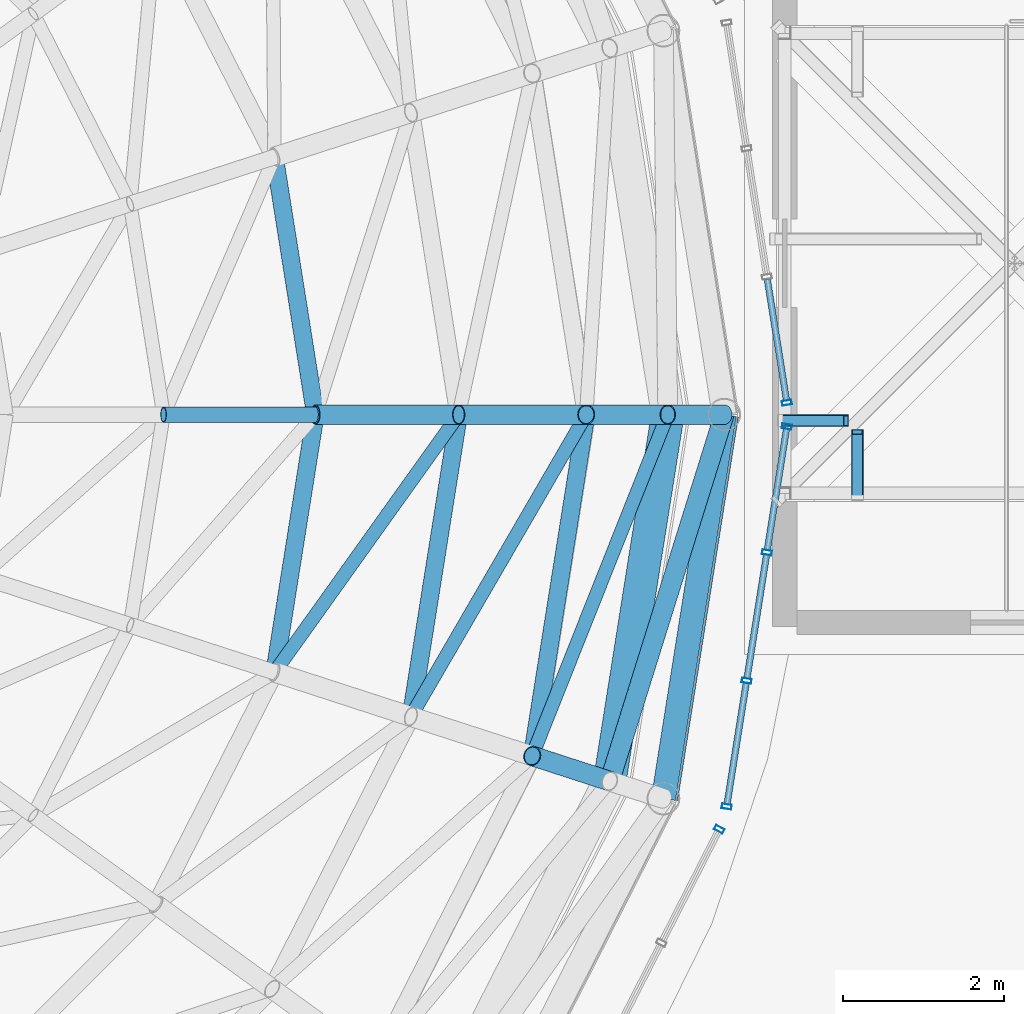
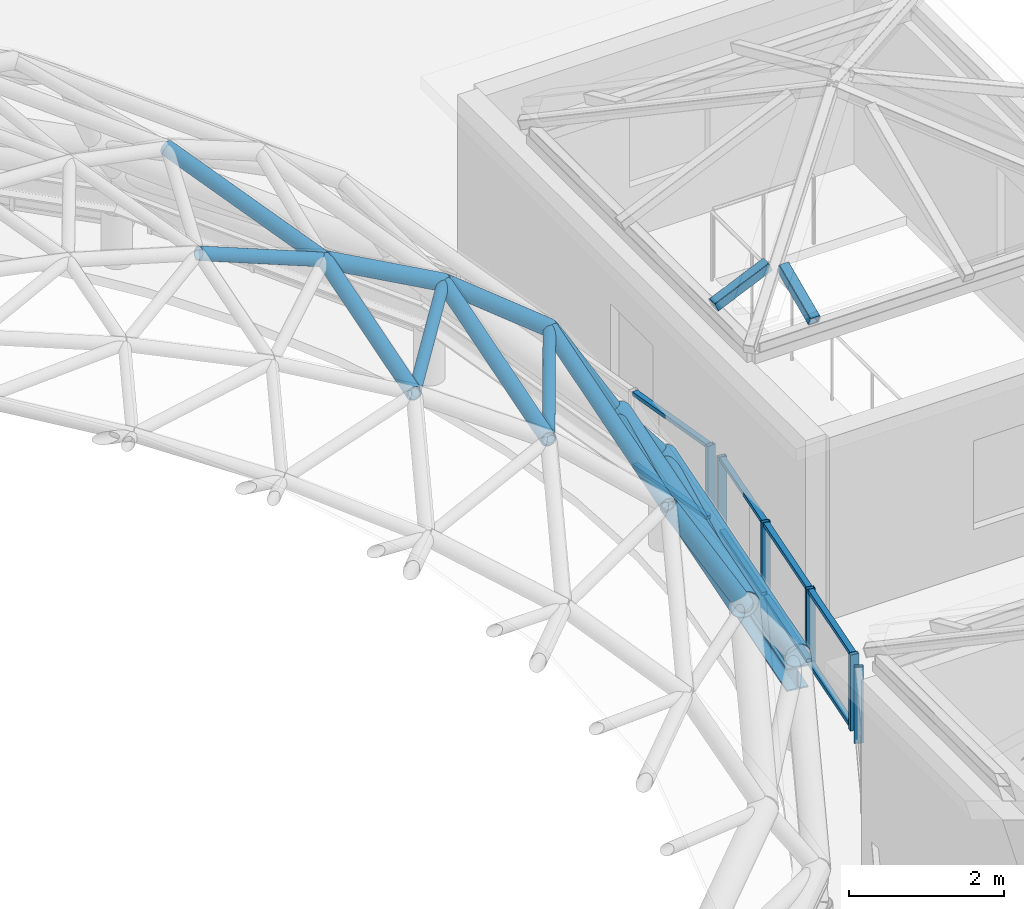
# One storey, part 31 of 69: 32 members, 1 beam, 3 elements without a shape of their own.
"""IFC4 building model written with IfcOpenShell, lengths in metres."""

from ifc_helpers import new_model, si_unit, direction, frame, origin, origin_2d, place, context, subcontext, project, spatial, hollow_rectangle, hollow_circle, i_section, extrude, material, layer, layer_set, material_profile, profile_set, type_object, element, aggregate, save


model = new_model("IFC4")

# Units and contexts
model_context = context("Model", 3, precision=1e-05, world=origin(), true_north=direction((0.0, 1.0)))
body_context = subcontext(model_context, "Body", "Model", "MODEL_VIEW")
ifc_project = project(units=[si_unit("LENGTHUNIT", "METRE"), si_unit("AREAUNIT", "SQUARE_METRE"), si_unit("VOLUMEUNIT", "CUBIC_METRE"), si_unit("PLANEANGLEUNIT", "RADIAN"), si_unit("MASSUNIT", "GRAM", prefix="KILO")], contexts=[model_context])

# Site, building, storey
site_placement = place(None, origin())
site = spatial("IfcSite", under=ifc_project, at=site_placement, CompositionType="ELEMENT")
building_placement = place(site_placement, origin())
building = spatial("IfcBuilding", under=site, at=building_placement, Name="Kallimachos Central Library", CompositionType="ELEMENT")
storey_placement = place(building_placement, frame((0.0, 0.0, 23.39990234375)))
storey = spatial("IfcBuildingStorey", under=building, at=storey_placement, Name="L05", CompositionType="ELEMENT", Elevation=23.39990234375)

# Members
ifc_material_1 = material(Name="Steel S355J2H", Category="steel")
ifc_material_profile_1 = material_profile(ifc_material_1, hollow_circle(Radius=0.084228515625, WallThickness=0.008056640625, at=origin_2d()), Name="CHS 168.3x8")
ifc_profile_set_1 = profile_set([ifc_material_profile_1], Name="Steel S355J2H")
member_type_1 = type_object("IfcMemberType", Name="CHS 168.3x8 dome diagonal", PredefinedType="BRACE", material=ifc_profile_set_1)
member_1_placement = place(storey_placement, frame((97.826904296875, 101.20703125, 6.24853515625), z_axis=(0.564178268135, 0.78929432934, -0.24231661816), x_axis=(-0.813540080834, 0.581508845055, 0.0)))
element("IfcMember", 1, at=member_1_placement, inside=storey, type_object=member_type_1, Name="Dome diagonal DD-4-19", PredefinedType="BRACE", context=body_context, shape_type="SweptSolid", body=[
    extrude(hollow_circle(Radius=0.084228515625, WallThickness=0.008056640625, at=origin_2d()), origin(), (0.0, 0.0, 1.0), 4.045166015625),
])
member_2_placement = place(storey_placement, frame((99.5166015625, 100.657958984375, 5.268310546875), z_axis=(0.481802526154, 0.82982215062, -0.281534232611), x_axis=(-0.864802382549, 0.502112377001, 0.0)))
element("IfcMember", 2, at=member_2_placement, inside=storey, type_object=member_type_1, Name="Dome diagonal DD-5-19", PredefinedType="BRACE", context=body_context, shape_type="SweptSolid", body=[
    extrude(hollow_circle(Radius=0.084228515625, WallThickness=0.008056640625, at=origin_2d()), origin(), (0.0, 0.0, 1.0), 4.50927734375),
])
member_3_placement = place(storey_placement, frame((101.019287109375, 100.169677734375, 3.998779296875), z_axis=(0.345366378347, 0.869285769555, -0.35364433483), x_axis=(-0.929339732878, 0.369225758708, 0.0)))
element("IfcMember", 3, at=member_3_placement, inside=storey, type_object=member_type_1, Name="Dome diagonal DD-6-19", PredefinedType="BRACE", context=body_context, shape_type="SweptSolid", body=[
    extrude(hollow_circle(Radius=0.084228515625, WallThickness=0.008056640625, at=origin_2d()), origin(), (0.0, 0.0, 1.0), 4.8662109375),
])
ifc_material_2 = material(Name="Steel S355J2H", Category="steel")
ifc_material_profile_2 = material_profile(ifc_material_2, hollow_circle(Radius=0.096923828125, WallThickness=0.010009765625, at=origin_2d()), Name="CHS 193.7x10")
ifc_profile_set_2 = profile_set([ifc_material_profile_2], Name="Steel S355J2H")
member_type_2 = type_object("IfcMemberType", Name="CHS 193.7x10 dome rib", PredefinedType="RAFTER", material=ifc_profile_set_2)
member_4_placement = place(storey_placement, frame((96.4501953125, 104.39990234375, 7.008544921875), z_axis=(0.927269138814, 0.0, -0.374395438278), x_axis=(0.0, 1.0, 0.0)))
element("IfcMember", 4, at=member_4_placement, inside=storey, type_object=member_type_2, Name="Dome rib DR-3-00", PredefinedType="RAFTER", context=body_context, shape_type="SweptSolid", body=[
    extrude(hollow_circle(Radius=0.096923828125, WallThickness=0.010009765625, at=origin_2d()), origin(), (0.0, 0.0, 1.0), 2.030029296875),
])
ifc_material_3 = material(Name="Steel S355J2H", Category="steel")
ifc_material_profile_3 = material_profile(ifc_material_3, hollow_circle(Radius=0.109619140625, WallThickness=0.012451171875, at=origin_2d()), Name="CHS 219.1x12.5")
ifc_profile_set_3 = profile_set([ifc_material_profile_3], Name="Steel S355J2H")
member_type_3 = type_object("IfcMemberType", Name="CHS 219.1x12.5 dome ring", PredefinedType="PURLIN", material=ifc_profile_set_3)
member_5_placement = place(storey_placement, frame((98.33251953125, 104.39990234375, 6.24853515625), z_axis=(-0.156396886471, 0.987694291723, 0.0), x_axis=(-0.987694291723, -0.156396886471, 0.0)))
element("IfcMember", 5, at=member_5_placement, inside=storey, type_object=member_type_3, Name="Dome ring DN-4-00", PredefinedType="PURLIN", context=body_context, shape_type="SweptSolid", body=[
    extrude(hollow_circle(Radius=0.109619140625, WallThickness=0.012451171875, at=origin_2d()), origin(), (0.0, 0.0, 1.0), 3.23291015625),
])
member_6_placement = place(storey_placement, frame((97.826904296875, 101.20703125, 6.24853515625), z_axis=(0.156408552704, 0.987692444358, 0.0), x_axis=(-0.987692444358, 0.156408552704, 0.0)))
element("IfcMember", 6, at=member_6_placement, inside=storey, type_object=member_type_3, Name="Dome ring DN-4-19", PredefinedType="PURLIN", context=body_context, shape_type="SweptSolid", body=[
    extrude(hollow_circle(Radius=0.109619140625, WallThickness=0.012451171875, at=origin_2d()), origin(), (0.0, 0.0, 1.0), 3.232666015625),
])
member_7_placement = place(storey_placement, frame((99.5166015625, 100.657958984375, 5.268310546875), z_axis=(0.156399366664, 0.987693898993, 0.0), x_axis=(-0.987693898993, 0.156399366664, 0.0)))
element("IfcMember", 7, at=member_7_placement, inside=storey, type_object=member_type_3, Name="Dome ring DN-5-19", PredefinedType="PURLIN", context=body_context, shape_type="SweptSolid", body=[
    extrude(hollow_circle(Radius=0.109619140625, WallThickness=0.012451171875, at=origin_2d()), origin(), (0.0, 0.0, 1.0), 3.78857421875),
])
member_8_placement = place(storey_placement, frame((101.019287109375, 100.169677734375, 3.998779296875), z_axis=(0.156416270198, 0.987691222203, 0.0), x_axis=(-0.987691222203, 0.156416270198, 0.0)))
element("IfcMember", 8, at=member_8_placement, inside=storey, type_object=member_type_3, Name="Dome ring DN-6-19", PredefinedType="PURLIN", context=body_context, shape_type="SweptSolid", body=[
    extrude(hollow_circle(Radius=0.109619140625, WallThickness=0.012451171875, at=origin_2d()), origin(), (0.0, 0.0, 1.0), 4.282958984375),
])
ifc_material_4 = material(Name="Steel S355J2H", Category="steel")
ifc_material_profile_4 = material_profile(ifc_material_4, hollow_circle(Radius=0.122314453125, WallThickness=0.012451171875, at=origin_2d()), Name="CHS 244.5x12.5")
ifc_profile_set_4 = profile_set([ifc_material_profile_4], Name="Steel S355J2H")
member_type_4 = type_object("IfcMemberType", Name="CHS 244.5x12.5 dome diagonal", PredefinedType="BRACE", material=ifc_profile_set_4)
member_9_placement = place(storey_placement, frame((101.98046875, 99.857421875, 2.27783203125), z_axis=(0.293064149452, 0.937865766204, -0.185798839849), x_axis=(-0.954485454729, 0.29825746715, 0.0)))
element("IfcMember", 9, at=member_9_placement, inside=storey, type_object=member_type_4, Name="Dome diagonal DD-7-19", PredefinedType="BRACE", context=body_context, shape_type="SweptSolid", body=[
    extrude(hollow_circle(Radius=0.122314453125, WallThickness=0.012451171875, at=origin_2d()), origin(), (0.0, 0.0, 1.0), 4.843505859375),
])
ifc_material_5 = material(Name="Steel S355J2H", Category="steel")
ifc_material_profile_5 = material_profile(ifc_material_5, hollow_circle(Radius=0.122314453125, WallThickness=0.012451171875, at=origin_2d()), Name="CHS 244.5x12.5")
ifc_profile_set_5 = profile_set([ifc_material_profile_5], Name="Steel S355J2H")
member_type_5 = type_object("IfcMemberType", Name="CHS 244.5x12.5 dome rib", PredefinedType="RAFTER", material=ifc_profile_set_5)
member_10_placement = place(storey_placement, frame((98.33251953125, 104.39990234375, 6.24853515625), z_axis=(0.875572419267, 0.0, -0.483086885166), x_axis=(0.0, 1.0, 0.0)))
element("IfcMember", 10, at=member_10_placement, inside=storey, type_object=member_type_5, Name="Dome rib DR-4-00", PredefinedType="RAFTER", context=body_context, shape_type="SweptSolid", body=[
    extrude(hollow_circle(Radius=0.122314453125, WallThickness=0.012451171875, at=origin_2d()), origin(), (0.0, 0.0, 1.0), 2.029052734375),
])
member_11_placement = place(storey_placement, frame((100.109130859375, 104.39990234375, 5.268310546875), z_axis=(0.779550942262, 0.0, -0.626338828764), x_axis=(0.0, 1.0, 0.0)))
element("IfcMember", 11, at=member_11_placement, inside=storey, type_object=member_type_5, Name="Dome rib DR-5-00", PredefinedType="RAFTER", context=body_context, shape_type="SweptSolid", body=[
    extrude(hollow_circle(Radius=0.122314453125, WallThickness=0.012451171875, at=origin_2d()), origin(), (0.0, 0.0, 1.0), 2.02685546875),
])
for number, where, z_axis, x_axis, name in (
    (12, (101.689208984375, 104.39990234375, 3.998779296875), (0.506431960576, 0.0, -0.862279925145), (0.0, 1.0, 0.0), "Dome rib DR-6-00"),
    (13, (101.019287109375, 100.169677734375, 3.998779296875), (0.481613325792, -0.156460107617, -0.862304377319), (0.308971360656, 0.951071342379, 0.0), "Dome rib DR-6-19"),
):
    element("IfcMember", number, at=place(storey_placement, frame(where, z_axis=z_axis, x_axis=x_axis)), inside=storey, type_object=member_type_5, Name=name, PredefinedType="RAFTER", context=body_context, shape_type="SweptSolid", body=[
        extrude(hollow_circle(Radius=0.122314453125, WallThickness=0.012451171875, at=origin_2d()), origin(), (0.0, 0.0, 1.0), 1.995849609375),
    ])
member_12_placement = place(storey_placement, frame((102.699951171875, 104.39990234375, 2.27783203125), z_axis=(0.613955438871, 0.0, -0.78934068632), x_axis=(0.0, 1.0, 0.0)))
element("IfcMember", 14, at=member_12_placement, inside=storey, type_object=member_type_5, Name="Dome rib DR-7-00", PredefinedType="RAFTER", context=body_context, shape_type="SweptSolid", body=[
    extrude(hollow_circle(Radius=0.122314453125, WallThickness=0.012451171875, at=origin_2d()), origin(), (0.0, 0.0, 1.0), 1.14013671875),
])
ifc_material_6 = material(Name="Steel S355J2H", Category="steel")
ifc_material_profile_6 = material_profile(ifc_material_6, hollow_circle(Radius=0.177734375, WallThickness=0.008056640625, at=origin_2d()), Name="CHS 355.6x8")
ifc_profile_set_6 = profile_set([ifc_material_profile_6], Name="Steel S355J2H")
member_type_6 = type_object("IfcMemberType", Name="CHS 355.6x8 dome ring", PredefinedType="PURLIN", material=ifc_profile_set_6)
member_13_placement = place(storey_placement, frame((102.646240234375, 99.64111328125, 1.3779296875), z_axis=(0.156423119957, 0.987690137413, 0.0), x_axis=(-0.987690137413, 0.156423119957, 0.0)))
element("IfcMember", 15, at=member_13_placement, inside=storey, type_object=member_type_6, Name="Dome ring DN-8-19", PredefinedType="PURLIN", context=body_context, shape_type="SweptSolid", body=[
    extrude(hollow_circle(Radius=0.177734375, WallThickness=0.008056640625, at=origin_2d()), origin(), (0.0, 0.0, 1.0), 4.818115234375),
])
ifc_material_7 = material(Name="Steel S355J2H", Category="steel")
ifc_material_profile_7 = material_profile(ifc_material_7, hollow_circle(Radius=0.203125, WallThickness=0.012451171875, at=origin_2d()), Name="CHS 406.4x12.5")
ifc_profile_set_7 = profile_set([ifc_material_profile_7], Name="Steel S355J2H")
member_type_7 = type_object("IfcMemberType", Name="CHS 406.4x12.5 dome ring", PredefinedType="PURLIN", material=ifc_profile_set_7)
member_14_placement = place(storey_placement, frame((101.98046875, 99.857421875, 2.27783203125), z_axis=(0.156439597132, 0.987687527738, 0.0), x_axis=(-0.987687527738, 0.156439597132, 0.0)))
element("IfcMember", 16, at=member_14_placement, inside=storey, type_object=member_type_7, Name="Dome ring DN-7-19", PredefinedType="PURLIN", context=body_context, shape_type="SweptSolid", body=[
    extrude(hollow_circle(Radius=0.203125, WallThickness=0.012451171875, at=origin_2d()), origin(), (0.0, 0.0, 1.0), 4.59912109375),
])

# Curtain wall, member
ifc_material_8 = material(Name="Anodised aluminium and laminated glass", Category="aluminium")
ifc_layer = layer(ifc_material_8, 0.159912109375)
ifc_layer_set = layer_set([ifc_layer], Name="Glass box curtain wall")
curtain_wall_type = type_object("IfcCurtainWallType", Name="Glass box curtain wall", PredefinedType="NOTDEFINED", material=ifc_layer_set)
curtain_wall_1_placement = place(storey_placement, origin())
curtain_wall_1 = element("IfcCurtainWall", 17, at=curtain_wall_1_placement, inside=storey, type_object=curtain_wall_type, Name="Drum clerestory facet 1", PredefinedType="NOTDEFINED")
ifc_material_9 = material(Name="Anodised aluminium", Category="aluminium")
ifc_material_profile_8 = material_profile(ifc_material_9, hollow_rectangle(XDim=0.06005859375, YDim=0.1201171875, WallThickness=0.00390625, at=origin_2d()), Name="ALU MULLION 60x120")
ifc_profile_set_8 = profile_set([ifc_material_profile_8], Name="Anodised aluminium")
member_type_8 = type_object("IfcMemberType", Name="Glass box mullion 60x120", PredefinedType="MULLION", material=ifc_profile_set_8)
member_15_placement = place(storey_placement, frame((104.176025390625, 104.548095703125, 0.0), z_axis=(0.0, 0.0, 1.0), x_axis=(-0.156435338924, 0.987688202185, 0.0)))
member_15 = element("IfcMember", 18, at=member_15_placement, type_object=member_type_8, Name="CW35 mullion 1", PredefinedType="MULLION", context=body_context, shape_type="SweptSolid", body=[
    extrude(hollow_rectangle(XDim=0.06005859375, YDim=0.1201171875, WallThickness=0.00390625, at=origin_2d()), origin(), (0.0, 0.0, 1.0), 1.2001953125),
])

curtain_wall_2_placement = place(storey_placement, origin())
curtain_wall_2 = element("IfcCurtainWall", 19, at=curtain_wall_2_placement, inside=storey, type_object=curtain_wall_type, Name="Drum clerestory facet 19", PredefinedType="NOTDEFINED")
member_16_placement = place(storey_placement, frame((103.33837890625, 99.260498046875, 0.0), z_axis=(0.0, 0.0, 1.0), x_axis=(0.453990803653, 0.891006369337, 0.0)))
member_16 = element("IfcMember", 20, at=member_16_placement, type_object=member_type_8, Name="CW53 mullion 4", PredefinedType="MULLION", context=body_context, shape_type="SweptSolid", body=[
    extrude(hollow_rectangle(XDim=0.06005859375, YDim=0.1201171875, WallThickness=0.00390625, at=origin_2d()), origin(), (0.0, 0.0, 1.0), 1.2001953125),
])
aggregate(curtain_wall_2, [member_16])

# Curtain wall, members
curtain_wall_3_placement = place(storey_placement, origin())
curtain_wall_3 = element("IfcCurtainWall", 21, at=curtain_wall_3_placement, inside=storey, type_object=curtain_wall_type, Name="Drum clerestory facet 20", PredefinedType="NOTDEFINED")
member_17_placement = place(storey_placement, frame((103.429931640625, 99.542236328125, 0.0), z_axis=(0.0, 0.0, 1.0), x_axis=(0.156435338924, 0.987688202185, 0.0)))
member_17 = element("IfcMember", 22, at=member_17_placement, type_object=member_type_8, Name="CW54 mullion 1", PredefinedType="MULLION", context=body_context, shape_type="SweptSolid", body=[
    extrude(hollow_rectangle(XDim=0.06005859375, YDim=0.1201171875, WallThickness=0.00390625, at=origin_2d()), origin(), (0.0, 0.0, 1.0), 1.2001953125),
])
member_18_placement = place(storey_placement, frame((103.677001953125, 101.102294921875, 0.0), z_axis=(0.0, 0.0, 1.0), x_axis=(0.156435338924, 0.987688202185, 0.0)))
member_18 = element("IfcMember", 23, at=member_18_placement, type_object=member_type_8, Name="CW54 mullion 2", PredefinedType="MULLION", context=body_context, shape_type="SweptSolid", body=[
    extrude(hollow_rectangle(XDim=0.06005859375, YDim=0.1201171875, WallThickness=0.00390625, at=origin_2d()), origin(), (0.0, 0.0, 1.0), 1.2001953125),
])
member_19_placement = place(storey_placement, frame((103.928955078125, 102.69189453125, 0.0), z_axis=(0.0, 0.0, 1.0), x_axis=(0.156435338924, 0.987688202185, 0.0)))
member_19 = element("IfcMember", 24, at=member_19_placement, type_object=member_type_8, Name="CW54 mullion 3", PredefinedType="MULLION", context=body_context, shape_type="SweptSolid", body=[
    extrude(hollow_rectangle(XDim=0.06005859375, YDim=0.1201171875, WallThickness=0.00390625, at=origin_2d()), origin(), (0.0, 0.0, 1.0), 1.2001953125),
])
member_20_placement = place(storey_placement, frame((104.176025390625, 104.251953125, 0.0), z_axis=(0.0, 0.0, 1.0), x_axis=(0.156435338924, 0.987688202185, 0.0)))
member_20 = element("IfcMember", 25, at=member_20_placement, type_object=member_type_8, Name="CW54 mullion 4", PredefinedType="MULLION", context=body_context, shape_type="SweptSolid", body=[
    extrude(hollow_rectangle(XDim=0.06005859375, YDim=0.1201171875, WallThickness=0.00390625, at=origin_2d()), origin(), (0.0, 0.0, 1.0), 1.2001953125),
])

# Member
ifc_material_10 = material(Name="Anodised aluminium", Category="aluminium")
ifc_material_profile_9 = material_profile(ifc_material_10, hollow_rectangle(XDim=0.06005859375, YDim=0.080078125, WallThickness=0.00390625, at=origin_2d()), Name="ALU TRANSOM 60x80")
ifc_profile_set_9 = profile_set([ifc_material_profile_9], Name="Anodised aluminium")
member_type_9 = type_object("IfcMemberType", Name="Glass box transom 60x80", PredefinedType="USERDEFINED", material=ifc_profile_set_9)
member_21_placement = place(storey_placement, frame((104.17138671875, 104.577880859375, 0.030029296875), z_axis=(-0.156498862419, 0.9876781389, 0.0), x_axis=(0.0, 0.0, 1.0)))
member_21 = element("IfcMember", 26, at=member_21_placement, type_object=member_type_9, Name="CW35 transom 1.1", ObjectType="TRANSOM", PredefinedType="USERDEFINED", context=body_context, shape_type="SweptSolid", body=[
    extrude(hollow_rectangle(XDim=0.06005859375, YDim=0.080078125, WallThickness=0.00390625, at=origin_2d()), origin(), (0.0, 0.0, 1.0), 1.51953125),
])

member_22_placement = place(storey_placement, frame((104.17138671875, 104.577880859375, 1.170166015625), z_axis=(-0.156498862419, 0.9876781389, 0.0), x_axis=(0.0, 0.0, 1.0)))
member_22 = element("IfcMember", 27, at=member_22_placement, type_object=member_type_9, Name="CW35 transom 1.2", ObjectType="TRANSOM", PredefinedType="USERDEFINED", context=body_context, shape_type="SweptSolid", body=[
    extrude(hollow_rectangle(XDim=0.06005859375, YDim=0.080078125, WallThickness=0.00390625, at=origin_2d()), origin(), (0.0, 0.0, 1.0), 1.51953125),
])

aggregate(curtain_wall_1, [member_15, member_21, member_22])

member_23_placement = place(storey_placement, frame((103.434814453125, 99.57177734375, 0.030029296875), z_axis=(0.156342115329, 0.987702962927, 0.0), x_axis=(0.0, 0.0, 1.0)))
member_23 = element("IfcMember", 28, at=member_23_placement, type_object=member_type_9, Name="CW54 transom 1.1", ObjectType="TRANSOM", PredefinedType="USERDEFINED", context=body_context, shape_type="SweptSolid", body=[
    extrude(hollow_rectangle(XDim=0.06005859375, YDim=0.080078125, WallThickness=0.00390625, at=origin_2d()), origin(), (0.0, 0.0, 1.0), 1.51953125),
])

member_24_placement = place(storey_placement, frame((103.434814453125, 99.57177734375, 1.170166015625), z_axis=(0.156342115329, 0.987702962927, 0.0), x_axis=(0.0, 0.0, 1.0)))
member_24 = element("IfcMember", 29, at=member_24_placement, type_object=member_type_9, Name="CW54 transom 1.2", ObjectType="TRANSOM", PredefinedType="USERDEFINED", context=body_context, shape_type="SweptSolid", body=[
    extrude(hollow_rectangle(XDim=0.06005859375, YDim=0.080078125, WallThickness=0.00390625, at=origin_2d()), origin(), (0.0, 0.0, 1.0), 1.51953125),
])

member_25_placement = place(storey_placement, frame((103.681884765625, 101.1318359375, 0.030029296875), z_axis=(0.156472330279, 0.987682342586, 0.0), x_axis=(0.0, 0.0, 1.0)))
member_25 = element("IfcMember", 30, at=member_25_placement, type_object=member_type_9, Name="CW54 transom 2.1", ObjectType="TRANSOM", PredefinedType="USERDEFINED", context=body_context, shape_type="SweptSolid", body=[
    extrude(hollow_rectangle(XDim=0.06005859375, YDim=0.080078125, WallThickness=0.00390625, at=origin_2d()), origin(), (0.0, 0.0, 1.0), 1.54931640625),
])

member_26_placement = place(storey_placement, frame((103.681884765625, 101.1318359375, 1.170166015625), z_axis=(0.156472330279, 0.987682342586, 0.0), x_axis=(0.0, 0.0, 1.0)))
member_26 = element("IfcMember", 31, at=member_26_placement, type_object=member_type_9, Name="CW54 transom 2.2", ObjectType="TRANSOM", PredefinedType="USERDEFINED", context=body_context, shape_type="SweptSolid", body=[
    extrude(hollow_rectangle(XDim=0.06005859375, YDim=0.080078125, WallThickness=0.00390625, at=origin_2d()), origin(), (0.0, 0.0, 1.0), 1.54931640625),
])

member_27_placement = place(storey_placement, frame((103.93359375, 102.721435546875, 0.030029296875), z_axis=(0.156498862419, 0.9876781389, 0.0), x_axis=(0.0, 0.0, 1.0)))
member_27 = element("IfcMember", 32, at=member_27_placement, type_object=member_type_9, Name="CW54 transom 3.1", ObjectType="TRANSOM", PredefinedType="USERDEFINED", context=body_context, shape_type="SweptSolid", body=[
    extrude(hollow_rectangle(XDim=0.06005859375, YDim=0.080078125, WallThickness=0.00390625, at=origin_2d()), origin(), (0.0, 0.0, 1.0), 1.51953125),
])

member_28_placement = place(storey_placement, frame((103.93359375, 102.721435546875, 1.170166015625), z_axis=(0.156498862419, 0.9876781389, 0.0), x_axis=(0.0, 0.0, 1.0)))
member_28 = element("IfcMember", 33, at=member_28_placement, type_object=member_type_9, Name="CW54 transom 3.2", ObjectType="TRANSOM", PredefinedType="USERDEFINED", context=body_context, shape_type="SweptSolid", body=[
    extrude(hollow_rectangle(XDim=0.06005859375, YDim=0.080078125, WallThickness=0.00390625, at=origin_2d()), origin(), (0.0, 0.0, 1.0), 1.51953125),
])

aggregate(curtain_wall_3, [member_17, member_18, member_19, member_20, member_23, member_24, member_25, member_26, member_27, member_28])

# Beam
ifc_material_11 = material(Name="Steel S355J2", Category="steel")
ifc_material_profile_10 = material_profile(ifc_material_11, i_section(OverallWidth=0.300048828125, OverallDepth=0.360107421875, WebThickness=0.012451171875, FlangeThickness=0.0224609375, FilletRadius=0.027099609375, at=origin_2d()), Name="HEB 360")
ifc_profile_set_10 = profile_set([ifc_material_profile_10], Name="Steel S355J2")
beam_type = type_object("IfcBeamType", Name="HEB 360 beam", PredefinedType="BEAM", material=ifc_profile_set_10)
beam_placement = place(storey_placement, frame((102.646240234375, 99.64111328125, 1.02001953125), z_axis=(0.156423119957, 0.987690137413, 0.0), x_axis=(-0.987690137413, 0.156423119957, 0.0)))
element("IfcBeam", 34, at=beam_placement, inside=storey, type_object=beam_type, Name="V1-BEM-L05-020", PredefinedType="BEAM", context=body_context, shape_type="SweptSolid", body=[
    extrude(i_section(OverallWidth=0.300048828125, OverallDepth=0.360107421875, WebThickness=0.012451171875, FlangeThickness=0.0224609375, FilletRadius=0.027099609375, at=origin_2d()), origin(), (0.0, 0.0, 1.0), 4.818115234375),
])

# Members
ifc_material_12 = material(Name="Steel S355J2H", Category="steel")
ifc_material_profile_11 = material_profile(ifc_material_12, hollow_rectangle(XDim=0.14990234375, YDim=0.14990234375, WallThickness=0.010009765625, InnerFilletRadius=0.010009765625, OuterFilletRadius=0.014892578125, at=origin_2d()), Name="SHS 150x150x10")
ifc_profile_set_11 = profile_set([ifc_material_profile_11], Name="Steel S355J2H")
member_type_10 = type_object("IfcMemberType", Name="SHS 150x150x10 rafter", PredefinedType="RAFTER", material=ifc_profile_set_11)
member_29_placement = place(storey_placement, frame((105.050048828125, 103.375, 3.559814453125), z_axis=(0.0, 0.913470640573, 0.406904643389), x_axis=(-1.0, 0.0, 0.0)))
element("IfcMember", 35, at=member_29_placement, inside=storey, type_object=member_type_10, Name="Head-house roof V1-NE rafter", PredefinedType="RAFTER", context=body_context, shape_type="SweptSolid", body=[
    extrude(hollow_rectangle(XDim=0.14990234375, YDim=0.14990234375, WallThickness=0.010009765625, InnerFilletRadius=0.010009765625, OuterFilletRadius=0.014892578125, at=origin_2d()), origin(), (0.0, 0.0, 1.0), 0.88671875),
])
member_30_placement = place(storey_placement, frame((104.10009765625, 104.324951171875, 3.559814453125), z_axis=(0.913425040309, 0.0, 0.407006997159), x_axis=(0.0, 1.0, 0.0)))
element("IfcMember", 36, at=member_30_placement, inside=storey, type_object=member_type_10, Name="Head-house roof V1-NE rafter", PredefinedType="RAFTER", context=body_context, shape_type="SweptSolid", body=[
    extrude(hollow_rectangle(XDim=0.14990234375, YDim=0.14990234375, WallThickness=0.010009765625, InnerFilletRadius=0.010009765625, OuterFilletRadius=0.014892578125, at=origin_2d()), origin(), (0.0, 0.0, 1.0), 0.886474609375),
])

save(model, "model.ifc")
